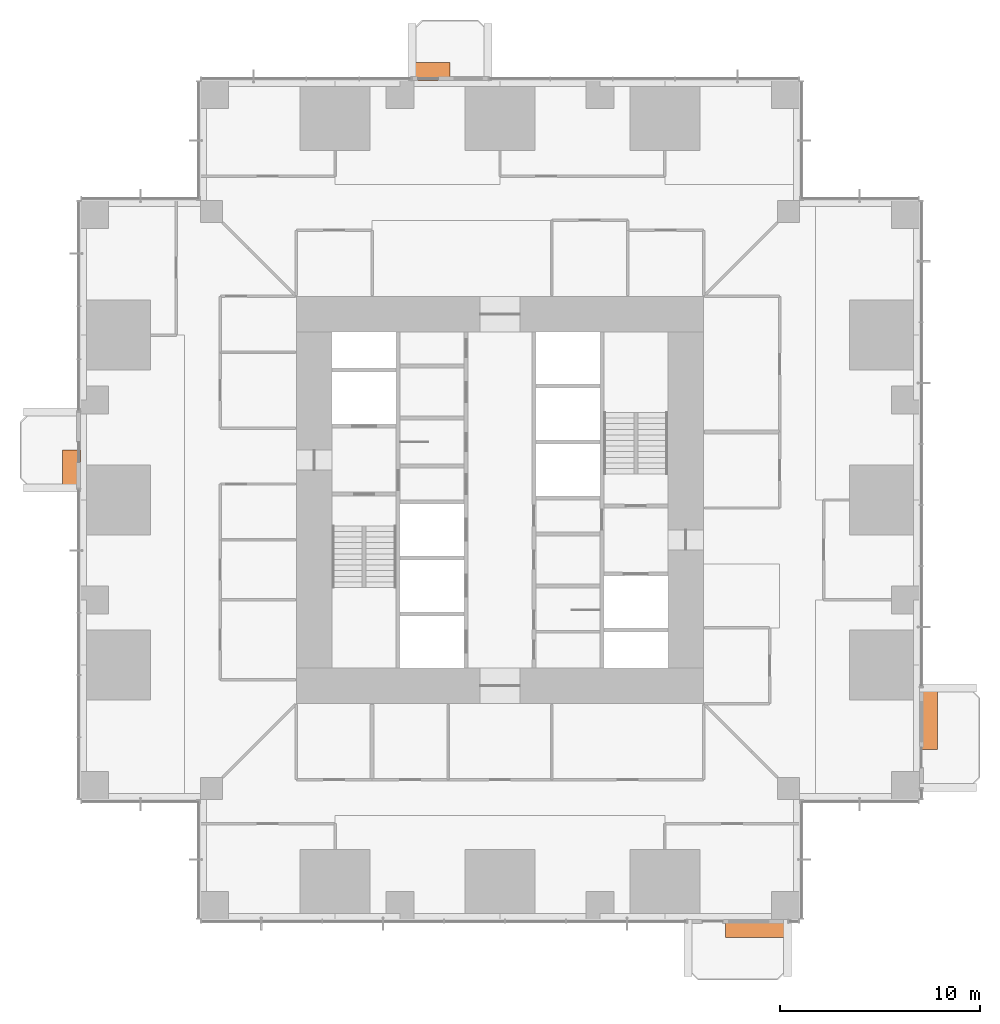
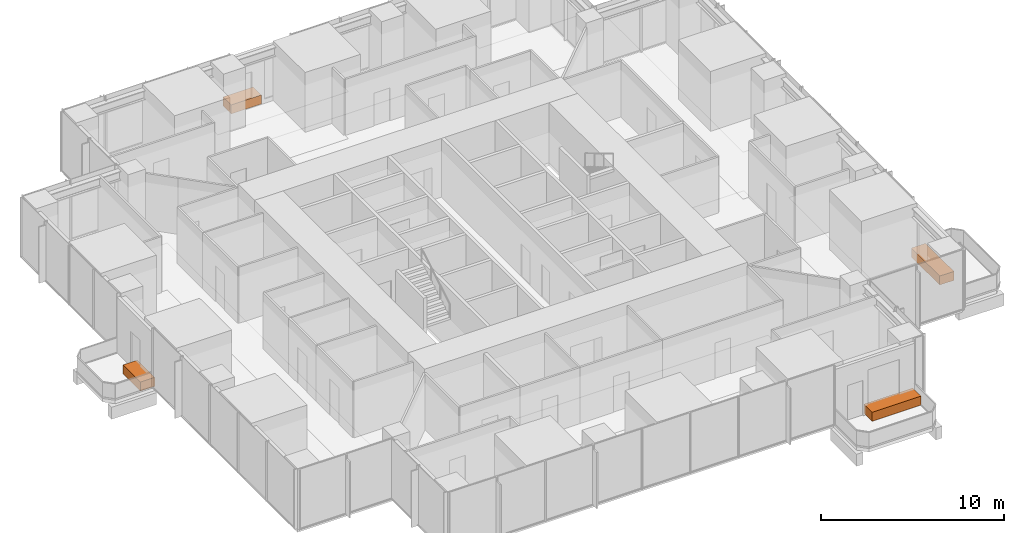
# One storey, part 15 of 15: 4 proxies.
"""IFC4 building model written with IfcOpenShell, lengths in metres."""

from ifc_helpers import new_model, si_unit, direction, frame, origin, origin_2d, place, context, subcontext, project, spatial, rectangle, extrude, element, save


model = new_model("IFC4")

# Units and contexts
model_context = context("Model", 3, precision=1e-05, world=origin(), true_north=direction((0.0, 1.0)))
body_context = subcontext(model_context, "Body", "Model", "MODEL_VIEW")
ifc_project = project(units=[si_unit("LENGTHUNIT", "METRE"), si_unit("AREAUNIT", "SQUARE_METRE"), si_unit("VOLUMEUNIT", "CUBIC_METRE"), si_unit("PLANEANGLEUNIT", "RADIAN"), si_unit("MASSUNIT", "GRAM", prefix="KILO")], contexts=[model_context])

# Site, building, storey
site_placement = place(None, origin())
site = spatial("IfcSite", under=ifc_project, at=site_placement, CompositionType="ELEMENT")
building_placement = place(site_placement, origin())
building = spatial("IfcBuilding", under=site, at=building_placement, Name="Svetlomir Tower", CompositionType="ELEMENT")
storey_placement = place(building_placement, frame((0.0, 0.0, 74.5)))
storey = spatial("IfcBuildingStorey", under=building, at=storey_placement, Name="L17", CompositionType="ELEMENT", Elevation=74.5)

# Proxies
proxy_1_placement = place(storey_placement, frame((33.85009765625, -0.449951171875, 0.0400390625), z_axis=(0.0, 0.0, 1.0), x_axis=(1.0, 0.0, 0.0)))
element("IfcBuildingElementProxy", 1, at=proxy_1_placement, inside=storey, Name="Tree planter S L17", ObjectType="PLANTER", PredefinedType="USERDEFINED", context=body_context, shape_type="SweptSolid", body=[
    extrude(rectangle(XDim=3.10009765625, YDim=0.89990234375, at=origin_2d()), origin(), (0.0, 0.0, 1.0), 0.60009765625),
])
proxy_2_placement = place(storey_placement, frame((42.449951171875, 10.050048828125, 0.0400390625), z_axis=(0.0, 0.0, 1.0), x_axis=(1.0, 0.0, 0.0)))
element("IfcBuildingElementProxy", 2, at=proxy_2_placement, inside=storey, Name="Tree planter E L17", ObjectType="PLANTER", PredefinedType="USERDEFINED", context=body_context, shape_type="SweptSolid", body=[
    extrude(rectangle(XDim=0.89990234375, YDim=3.10009765625, at=origin_2d()), origin(), (0.0, 0.0, 1.0), 0.60009765625),
])
proxy_3_placement = place(storey_placement, frame((17.550048828125, 42.449951171875, 0.0400390625), z_axis=(0.0, 0.0, 1.0), x_axis=(1.0, 0.0, 0.0)))
element("IfcBuildingElementProxy", 3, at=proxy_3_placement, inside=storey, Name="Tree planter N L17", ObjectType="PLANTER", PredefinedType="USERDEFINED", context=body_context, shape_type="SweptSolid", body=[
    extrude(rectangle(XDim=1.89990234375, YDim=0.89990234375, at=origin_2d()), origin(), (0.0, 0.0, 1.0), 0.60009765625),
])
proxy_4_placement = place(storey_placement, frame((-0.449951171875, 22.550048828125, 0.0400390625), z_axis=(0.0, 0.0, 1.0), x_axis=(1.0, 0.0, 0.0)))
element("IfcBuildingElementProxy", 4, at=proxy_4_placement, inside=storey, Name="Tree planter W L17", ObjectType="PLANTER", PredefinedType="USERDEFINED", context=body_context, shape_type="SweptSolid", body=[
    extrude(rectangle(XDim=0.89990234375, YDim=1.89990234375, at=origin_2d()), origin(), (0.0, 0.0, 1.0), 0.60009765625),
])

save(model, "model.ifc")
